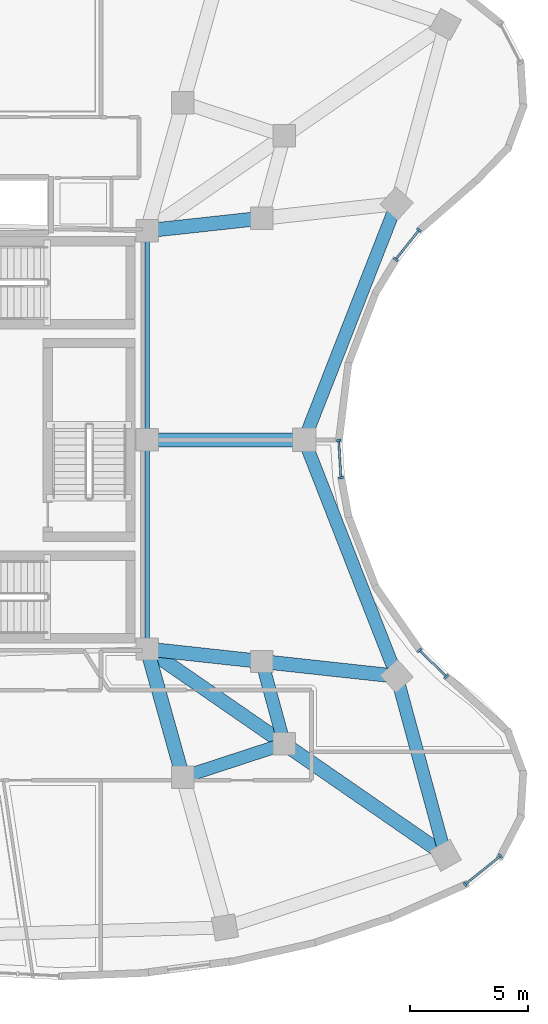
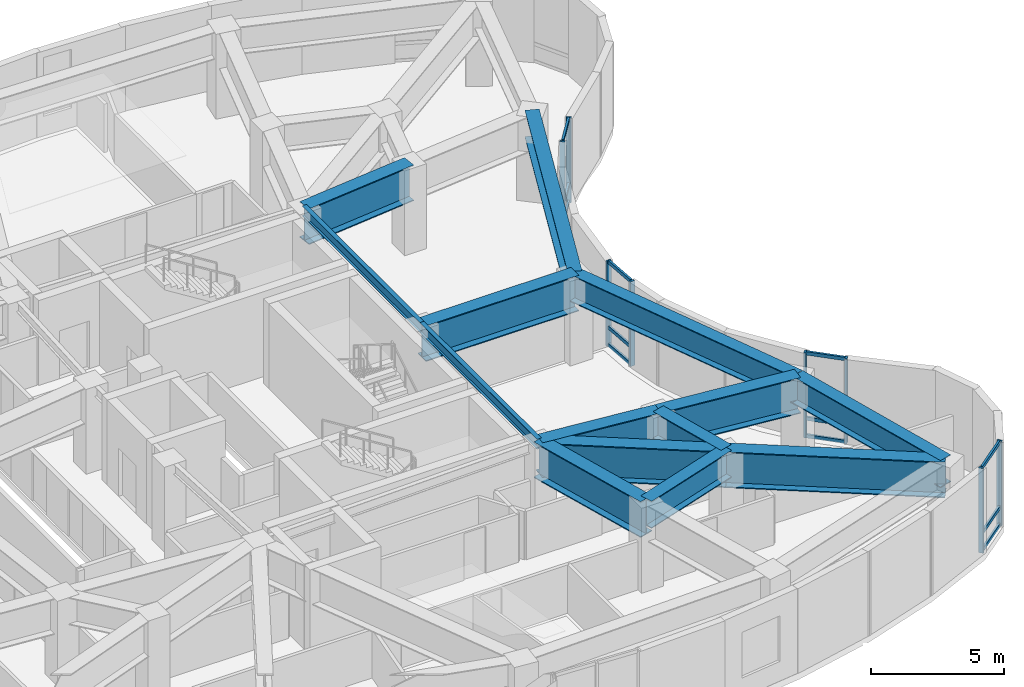
# One storey, part 4 of 14: 20 members, 14 beams, 4 elements without a shape of their own.
"""IFC4 building model written with IfcOpenShell, lengths in metres."""

from ifc_helpers import new_model, si_unit, direction, frame, origin, origin_2d, place, context, subcontext, project, spatial, rectangle, i_section, extrude, material, layer, layer_set, material_profile, profile_set, type_object, element, aggregate, save


model = new_model("IFC4")

# Units and contexts
model_context = context("Model", 3, precision=1e-05, world=origin(), true_north=direction((0.0, 1.0)))
body_context = subcontext(model_context, "Body", "Model", "MODEL_VIEW")
ifc_project = project(units=[si_unit("LENGTHUNIT", "METRE"), si_unit("AREAUNIT", "SQUARE_METRE"), si_unit("VOLUMEUNIT", "CUBIC_METRE"), si_unit("PLANEANGLEUNIT", "RADIAN"), si_unit("MASSUNIT", "GRAM", prefix="KILO")], contexts=[model_context])

# Site, building, storey
site_placement = place(None, origin())
site = spatial("IfcSite", under=ifc_project, at=site_placement, CompositionType="ELEMENT")
building_placement = place(site_placement, origin())
building = spatial("IfcBuilding", under=site, at=building_placement, Name="Korentha Bioscience Tower", CompositionType="ELEMENT")
storey_placement = place(building_placement, frame((0.0, 0.0, 239.39990234375)))
storey = spatial("IfcBuildingStorey", under=building, at=storey_placement, Name="L55", CompositionType="ELEMENT", Elevation=239.39990234375)

# Beams
ifc_material_1 = material(Name="Steel S355", Category="steel")
ifc_material_profile_1 = material_profile(ifc_material_1, i_section(OverallWidth=0.550048828125, OverallDepth=1.25, WebThickness=0.02392578125, FlangeThickness=0.0400390625, at=origin_2d()), Name="Steel S355")
ifc_profile_set_1 = profile_set([ifc_material_profile_1], Name="Steel S355 (TG-03)")
beam_type_1 = type_object("IfcBeamType", Name="Crown Step Transfer Girder CVS 1250x510", PredefinedType="USERDEFINED", material=ifc_profile_set_1)
beam_1_placement = place(storey_placement, frame((39.066650390625, 12.730224609375, 3.275146484375), z_axis=(0.950447398506, 0.310885417274, 0.0), x_axis=(-0.310885417274, 0.950447398506, 0.0)))
element("IfcBeam", 1, at=beam_1_placement, inside=storey, type_object=beam_type_1, Name="L55 Mid-Ring Tie Girder 12", ObjectType="TRANSFER_GIRDER", PredefinedType="USERDEFINED", context=body_context, shape_type="SweptSolid", body=[
    extrude(i_section(OverallWidth=0.550048828125, OverallDepth=1.25, WebThickness=0.02392578125, FlangeThickness=0.0400390625, at=origin_2d()), origin(), (0.0, 0.0, 1.0), 4.5146484375),
])
beam_2_placement = place(storey_placement, frame((43.357666015625, 14.1337890625, 3.275146484375), z_axis=(-0.262122358011, 0.965034646752, 0.0), x_axis=(-0.965034646752, -0.262122358011, 0.0)))
element("IfcBeam", 2, at=beam_2_placement, inside=storey, type_object=beam_type_1, Name="L55 Mid-Ring Tie Girder 13", ObjectType="TRANSFER_GIRDER", PredefinedType="USERDEFINED", context=body_context, shape_type="SweptSolid", body=[
    extrude(i_section(OverallWidth=0.550048828125, OverallDepth=1.25, WebThickness=0.02392578125, FlangeThickness=0.0400390625, at=origin_2d()), origin(), (0.0, 0.0, 1.0), 3.61279296875),
])
beam_3_placement = place(storey_placement, frame((50.175537109375, 9.419189453125, 3.275146484375), z_axis=(-0.26215989838, 0.965024449266, 0.0), x_axis=(-0.965024449266, -0.26215989838, 0.0)))
element("IfcBeam", 3, at=beam_3_placement, inside=storey, type_object=beam_type_1, Name="L55 Perimeter Spandrel Girder 13", ObjectType="TRANSFER_GIRDER", PredefinedType="USERDEFINED", context=body_context, shape_type="SweptSolid", body=[
    extrude(i_section(OverallWidth=0.550048828125, OverallDepth=1.25, WebThickness=0.02392578125, FlangeThickness=0.0400390625, at=origin_2d()), origin(), (0.0, 0.0, 1.0), 7.854248046875),
])
for number, where, z_axis, x_axis, name in (
    (4, (48.116455078125, 16.998779296875, 3.275146484375), (-0.364482486075, 0.931210243363, 0.0), (-0.931210243363, -0.364482486075, 0.0), "L55 Perimeter Spandrel Girder 14"),
    (5, (44.201904296875, 27.0, 3.275146484375), (0.364482486075, 0.931210243363, 0.0), (-0.931210243363, 0.364482486075, 0.0), "L55 Perimeter Spandrel Girder 15"),
):
    element("IfcBeam", number, at=place(storey_placement, frame(where, z_axis=z_axis, x_axis=x_axis)), inside=storey, type_object=beam_type_1, Name=name, ObjectType="TRANSFER_GIRDER", PredefinedType="USERDEFINED", context=body_context, shape_type="SweptSolid", body=[
        extrude(i_section(OverallWidth=0.550048828125, OverallDepth=1.25, WebThickness=0.02392578125, FlangeThickness=0.0400390625, at=origin_2d()), origin(), (0.0, 0.0, 1.0), 10.739990234375),
    ])
ifc_material_profile_2 = material_profile(ifc_material_1, i_section(OverallWidth=0.60009765625, OverallDepth=1.64990234375, WebThickness=0.02587890625, FlangeThickness=0.0439453125, at=origin_2d()), Name="Steel S355")
ifc_profile_set_2 = profile_set([ifc_material_profile_2], Name="Steel S355 (TG-04)")
beam_type_2 = type_object("IfcBeamType", Name="Deep Setback Transfer Girder CVS 1650x620", PredefinedType="USERDEFINED", material=ifc_profile_set_2)
beam_4_placement = place(storey_placement, frame((37.550048828125, 18.14990234375, 3.0751953125), z_axis=(0.269480278508, -0.963005908339, 0.0), x_axis=(0.963005908339, 0.269480278508, 0.0)))
element("IfcBeam", 6, at=beam_4_placement, inside=storey, type_object=beam_type_2, Name="L55 Inner Radial Transfer Girder 12", ObjectType="TRANSFER_GIRDER", PredefinedType="USERDEFINED", context=body_context, shape_type="SweptSolid", body=[
    extrude(i_section(OverallWidth=0.60009765625, OverallDepth=1.64990234375, WebThickness=0.02587890625, FlangeThickness=0.0439453125, at=origin_2d()), origin(), (0.0, 0.0, 1.0), 5.6279296875),
])
beam_5_placement = place(storey_placement, frame((37.550048828125, 18.14990234375, 3.0751953125), z_axis=(0.822493302413, -0.568774795052, 0.0), x_axis=(0.568774795052, 0.822493302413, 0.0)))
element("IfcBeam", 7, at=beam_5_placement, inside=storey, type_object=beam_type_2, Name="L55 Inner Radial Transfer Girder 13", ObjectType="TRANSFER_GIRDER", PredefinedType="USERDEFINED", context=body_context, shape_type="SweptSolid", body=[
    extrude(i_section(OverallWidth=0.60009765625, OverallDepth=1.64990234375, WebThickness=0.02587890625, FlangeThickness=0.0439453125, at=origin_2d()), origin(), (0.0, 0.0, 1.0), 7.06103515625),
])
beam_6_placement = place(storey_placement, frame((43.357666015625, 14.1337890625, 3.0751953125), z_axis=(0.82250061903, -0.568764214499, 0.0), x_axis=(0.568764214499, 0.82250061903, 0.0)))
element("IfcBeam", 8, at=beam_6_placement, inside=storey, type_object=beam_type_2, Name="L55 Outer Radial Transfer Girder 13", ObjectType="TRANSFER_GIRDER", PredefinedType="USERDEFINED", context=body_context, shape_type="SweptSolid", body=[
    extrude(i_section(OverallWidth=0.60009765625, OverallDepth=1.64990234375, WebThickness=0.02587890625, FlangeThickness=0.0439453125, at=origin_2d()), origin(), (0.0, 0.0, 1.0), 8.289306640625),
])
beam_7_placement = place(storey_placement, frame((37.550048828125, 18.14990234375, 3.0751953125), z_axis=(0.994117728659, -0.108304854762, 0.0), x_axis=(0.108304854762, 0.994117728659, 0.0)))
element("IfcBeam", 9, at=beam_7_placement, inside=storey, type_object=beam_type_2, Name="L55 Inner Radial Transfer Girder 14", ObjectType="TRANSFER_GIRDER", PredefinedType="USERDEFINED", context=body_context, shape_type="SweptSolid", body=[
    extrude(i_section(OverallWidth=0.60009765625, OverallDepth=1.64990234375, WebThickness=0.02587890625, FlangeThickness=0.0439453125, at=origin_2d()), origin(), (0.0, 0.0, 1.0), 4.889404296875),
])
beam_8_placement = place(storey_placement, frame((42.41064453125, 17.620361328125, 3.0751953125), z_axis=(0.994118507308, -0.108297707398, 0.0), x_axis=(0.108297707398, 0.994118507308, 0.0)))
element("IfcBeam", 10, at=beam_8_placement, inside=storey, type_object=beam_type_2, Name="L55 Outer Radial Transfer Girder 14", ObjectType="TRANSFER_GIRDER", PredefinedType="USERDEFINED", context=body_context, shape_type="SweptSolid", body=[
    extrude(i_section(OverallWidth=0.60009765625, OverallDepth=1.64990234375, WebThickness=0.02587890625, FlangeThickness=0.0439453125, at=origin_2d()), origin(), (0.0, 0.0, 1.0), 5.739501953125),
])
beam_9_placement = place(storey_placement, frame((37.550048828125, 27.0, 3.0751953125), z_axis=(1.0, 0.0, 0.0), x_axis=(0.0, 1.0, 0.0)))
element("IfcBeam", 11, at=beam_9_placement, inside=storey, type_object=beam_type_2, Name="L55 Radial Transfer Girder 15", ObjectType="TRANSFER_GIRDER", PredefinedType="USERDEFINED", context=body_context, shape_type="SweptSolid", body=[
    extrude(i_section(OverallWidth=0.60009765625, OverallDepth=1.64990234375, WebThickness=0.02587890625, FlangeThickness=0.0439453125, at=origin_2d()), origin(), (0.0, 0.0, 1.0), 6.65185546875),
])
beam_10_placement = place(storey_placement, frame((37.550048828125, 35.85009765625, 3.0751953125), z_axis=(0.994117728659, 0.108304854762, 0.0), x_axis=(-0.108304854762, 0.994117728659, 0.0)))
element("IfcBeam", 12, at=beam_10_placement, inside=storey, type_object=beam_type_2, Name="L55 Inner Radial Transfer Girder 16", ObjectType="TRANSFER_GIRDER", PredefinedType="USERDEFINED", context=body_context, shape_type="SweptSolid", body=[
    extrude(i_section(OverallWidth=0.60009765625, OverallDepth=1.64990234375, WebThickness=0.02587890625, FlangeThickness=0.0439453125, at=origin_2d()), origin(), (0.0, 0.0, 1.0), 4.889404296875),
])
ifc_material_profile_3 = material_profile(ifc_material_1, i_section(OverallWidth=0.18994140625, OverallDepth=0.45703125, WebThickness=0.009033203125, FlangeThickness=0.014404296875, at=origin_2d()), Name="Steel S355")
ifc_profile_set_3 = profile_set([ifc_material_profile_3], Name="Steel S355 (MB-460)")
beam_type_3 = type_object("IfcBeamType", Name="Mid-Ring Tie Girder W460x74", PredefinedType="BEAM", material=ifc_profile_set_3)
for number, where, z_axis, x_axis, name in (
    (13, (37.550048828125, 18.14990234375, 3.671630859375), (0.0, 1.0, 0.0), (-1.0, 0.0, 0.0), "L55 Core Ring Tie Girder 06"),
    (14, (37.550048828125, 27.0, 3.671630859375), (0.0, 1.0, 0.0), (-1.0, 0.0, 0.0), "L55 Core Ring Tie Girder 07"),
):
    element("IfcBeam", number, at=place(storey_placement, frame(where, z_axis=z_axis, x_axis=x_axis)), inside=storey, type_object=beam_type_3, Name=name, PredefinedType="BEAM", context=body_context, shape_type="SweptSolid", body=[
        extrude(i_section(OverallWidth=0.18994140625, OverallDepth=0.45703125, WebThickness=0.009033203125, FlangeThickness=0.014404296875, at=origin_2d()), origin(), (0.0, 0.0, 1.0), 8.85009765625),
    ])

# Curtain wall, members
ifc_material_2 = material(Name="Thermally Broken Aluminium Frame", Category="aluminium")
ifc_layer = layer(ifc_material_2, 0.219970703125, Name="Thermally Broken Aluminium Frame")
ifc_layer_set = layer_set([ifc_layer], Name="Thermally Broken Aluminium Frame (CW-T1)")
curtain_wall_type = type_object("IfcCurtainWallType", Name="Standard Bioscience Lab Unitised Curtain Wall CW-T1", PredefinedType="USERDEFINED", material=ifc_layer_set)
curtain_wall_1_placement = place(storey_placement, origin())
curtain_wall_1 = element("IfcCurtainWall", 15, at=curtain_wall_1_placement, inside=storey, type_object=curtain_wall_type, Name="L55 Curtain Wall 37", ObjectType="UNITISED", PredefinedType="USERDEFINED")
ifc_material_3 = material(Name="Anodised Aluminium 6063-T6", Category="aluminium")
ifc_material_profile_4 = material_profile(ifc_material_3, rectangle(XDim=0.090087890625, YDim=0.199951171875, at=origin_2d()), Name="Anodised Aluminium 6063-T6")
ifc_profile_set_4 = profile_set([ifc_material_profile_4], Name="Anodised Aluminium 6063-T6 (CW-MUL)")
member_type_1 = type_object("IfcMemberType", Name="Mullion RECT 90x200", PredefinedType="MULLION", material=ifc_profile_set_4)
member_1_placement = place(storey_placement, frame((51.01171875, 8.188720703125, 0.0), z_axis=(0.0, 0.0, 1.0), x_axis=(0.779197616162, 0.626778330008, 0.0)))
member_1 = element("IfcMember", 16, at=member_1_placement, type_object=member_type_1, Name="CW-L55-37 Mullion 1", PredefinedType="MULLION", context=body_context, shape_type="SweptSolid", body=[
    extrude(rectangle(XDim=0.090087890625, YDim=0.199951171875, at=origin_2d()), origin(), (0.0, 0.0, 1.0), 3.900146484375),
])
member_2_placement = place(storey_placement, frame((52.5087890625, 9.39306640625, 0.0), z_axis=(0.0, 0.0, 1.0), x_axis=(0.779197616162, 0.626778330008, 0.0)))
member_2 = element("IfcMember", 17, at=member_2_placement, type_object=member_type_1, Name="CW-L55-37 Mullion 2", PredefinedType="MULLION", context=body_context, shape_type="SweptSolid", body=[
    extrude(rectangle(XDim=0.090087890625, YDim=0.199951171875, at=origin_2d()), origin(), (0.0, 0.0, 1.0), 3.900146484375),
])

curtain_wall_2_placement = place(storey_placement, origin())
curtain_wall_2 = element("IfcCurtainWall", 18, at=curtain_wall_2_placement, inside=storey, type_object=curtain_wall_type, Name="L55 Curtain Wall 43", ObjectType="UNITISED", PredefinedType="USERDEFINED")
member_3_placement = place(storey_placement, frame((50.2197265625, 16.978759765625, 0.0), z_axis=(0.0, 0.0, 1.0), x_axis=(-0.713258270268, 0.700901305388, 0.0)))
member_3 = element("IfcMember", 19, at=member_3_placement, type_object=member_type_1, Name="CW-L55-43 Mullion 1", PredefinedType="MULLION", context=body_context, shape_type="SweptSolid", body=[
    extrude(rectangle(XDim=0.090087890625, YDim=0.199951171875, at=origin_2d()), origin(), (0.0, 0.0, 1.0), 3.900146484375),
])
member_4_placement = place(storey_placement, frame((49.08349609375, 18.095703125, 0.0), z_axis=(0.0, 0.0, 1.0), x_axis=(-0.713258270268, 0.700901305388, 0.0)))
member_4 = element("IfcMember", 20, at=member_4_placement, type_object=member_type_1, Name="CW-L55-43 Mullion 2", PredefinedType="MULLION", context=body_context, shape_type="SweptSolid", body=[
    extrude(rectangle(XDim=0.090087890625, YDim=0.199951171875, at=origin_2d()), origin(), (0.0, 0.0, 1.0), 3.900146484375),
])

curtain_wall_3_placement = place(storey_placement, origin())
curtain_wall_3 = element("IfcCurtainWall", 21, at=curtain_wall_3_placement, inside=storey, type_object=curtain_wall_type, Name="L55 Curtain Wall 49", ObjectType="UNITISED", PredefinedType="USERDEFINED")
member_5_placement = place(storey_placement, frame((45.7568359375, 25.39501953125, 0.0), z_axis=(0.0, 0.0, 1.0), x_axis=(-0.06095424178, 0.998140561449, 0.0)))
member_5 = element("IfcMember", 22, at=member_5_placement, type_object=member_type_1, Name="CW-L55-49 Mullion 1", PredefinedType="MULLION", context=body_context, shape_type="SweptSolid", body=[
    extrude(rectangle(XDim=0.090087890625, YDim=0.199951171875, at=origin_2d()), origin(), (0.0, 0.0, 1.0), 3.900146484375),
])
member_6_placement = place(storey_placement, frame((45.65966796875, 26.985107421875, 0.0), z_axis=(0.0, 0.0, 1.0), x_axis=(-0.06095424178, 0.998140561449, 0.0)))
member_6 = element("IfcMember", 23, at=member_6_placement, type_object=member_type_1, Name="CW-L55-49 Mullion 2", PredefinedType="MULLION", context=body_context, shape_type="SweptSolid", body=[
    extrude(rectangle(XDim=0.090087890625, YDim=0.199951171875, at=origin_2d()), origin(), (0.0, 0.0, 1.0), 3.900146484375),
])

curtain_wall_4_placement = place(storey_placement, origin())
curtain_wall_4 = element("IfcCurtainWall", 24, at=curtain_wall_4_placement, inside=storey, type_object=curtain_wall_type, Name="L55 Curtain Wall 55", ObjectType="UNITISED", PredefinedType="USERDEFINED")
member_7_placement = place(storey_placement, frame((48.07177734375, 34.635498046875, 0.0), z_axis=(0.0, 0.0, 1.0), x_axis=(0.622511989066, 0.782610262819, 0.0)))
member_7 = element("IfcMember", 25, at=member_7_placement, type_object=member_type_1, Name="CW-L55-55 Mullion 1", PredefinedType="MULLION", context=body_context, shape_type="SweptSolid", body=[
    extrude(rectangle(XDim=0.090087890625, YDim=0.199951171875, at=origin_2d()), origin(), (0.0, 0.0, 1.0), 3.900146484375),
])
member_8_placement = place(storey_placement, frame((49.063720703125, 35.882568359375, 0.0), z_axis=(0.0, 0.0, 1.0), x_axis=(0.622511989066, 0.782610262819, 0.0)))
member_8 = element("IfcMember", 26, at=member_8_placement, type_object=member_type_1, Name="CW-L55-55 Mullion 2", PredefinedType="MULLION", context=body_context, shape_type="SweptSolid", body=[
    extrude(rectangle(XDim=0.090087890625, YDim=0.199951171875, at=origin_2d()), origin(), (0.0, 0.0, 1.0), 3.900146484375),
])

# Member
ifc_material_profile_5 = material_profile(ifc_material_3, rectangle(XDim=0.090087890625, YDim=0.159912109375, at=origin_2d()), Name="Anodised Aluminium 6063-T6")
ifc_profile_set_5 = profile_set([ifc_material_profile_5], Name="Anodised Aluminium 6063-T6 (CW-TRN)")
member_type_2 = type_object("IfcMemberType", Name="Transom RECT 90x160", PredefinedType="USERDEFINED", material=ifc_profile_set_5)
member_9_placement = place(storey_placement, frame((51.046630859375, 8.216796875, 0.045166015625), z_axis=(0.779227601678, 0.62674105082, 0.0), x_axis=(-0.62674105082, 0.779227601678, 0.0)))
member_9 = element("IfcMember", 27, at=member_9_placement, type_object=member_type_2, Name="CW-L55-37 Bay 1 Transom 1", ObjectType="TRANSOM", PredefinedType="USERDEFINED", context=body_context, shape_type="SweptSolid", body=[
    extrude(rectangle(XDim=0.090087890625, YDim=0.159912109375, at=origin_2d()), origin(), (0.0, 0.0, 1.0), 1.83154296875),
])

member_10_placement = place(storey_placement, frame((51.046630859375, 8.216796875, 0.85009765625), z_axis=(0.779227601678, 0.62674105082, 0.0), x_axis=(-0.62674105082, 0.779227601678, 0.0)))
member_10 = element("IfcMember", 28, at=member_10_placement, type_object=member_type_2, Name="CW-L55-37 Bay 1 Transom 2", ObjectType="TRANSOM", PredefinedType="USERDEFINED", context=body_context, shape_type="SweptSolid", body=[
    extrude(rectangle(XDim=0.090087890625, YDim=0.159912109375, at=origin_2d()), origin(), (0.0, 0.0, 1.0), 1.83154296875),
])

member_11_placement = place(storey_placement, frame((51.046630859375, 8.216796875, 3.85498046875), z_axis=(0.779227601678, 0.62674105082, 0.0), x_axis=(-0.62674105082, 0.779227601678, 0.0)))
member_11 = element("IfcMember", 29, at=member_11_placement, type_object=member_type_2, Name="CW-L55-37 Bay 1 Transom 3", ObjectType="TRANSOM", PredefinedType="USERDEFINED", context=body_context, shape_type="SweptSolid", body=[
    extrude(rectangle(XDim=0.090087890625, YDim=0.159912109375, at=origin_2d()), origin(), (0.0, 0.0, 1.0), 1.83154296875),
])

aggregate(curtain_wall_1, [member_1, member_2, member_9, member_10, member_11])

member_12_placement = place(storey_placement, frame((50.187744140625, 17.010498046875, 0.045166015625), z_axis=(-0.713332158059, 0.700826107018, 0.0), x_axis=(-0.700826107018, -0.713332158059, 0.0)))
member_12 = element("IfcMember", 30, at=member_12_placement, type_object=member_type_2, Name="CW-L55-43 Bay 1 Transom 1", ObjectType="TRANSOM", PredefinedType="USERDEFINED", context=body_context, shape_type="SweptSolid", body=[
    extrude(rectangle(XDim=0.090087890625, YDim=0.159912109375, at=origin_2d()), origin(), (0.0, 0.0, 1.0), 1.503173828125),
])

member_13_placement = place(storey_placement, frame((50.187744140625, 17.010498046875, 0.85009765625), z_axis=(-0.713332158059, 0.700826107018, 0.0), x_axis=(-0.700826107018, -0.713332158059, 0.0)))
member_13 = element("IfcMember", 31, at=member_13_placement, type_object=member_type_2, Name="CW-L55-43 Bay 1 Transom 2", ObjectType="TRANSOM", PredefinedType="USERDEFINED", context=body_context, shape_type="SweptSolid", body=[
    extrude(rectangle(XDim=0.090087890625, YDim=0.159912109375, at=origin_2d()), origin(), (0.0, 0.0, 1.0), 1.503173828125),
])

member_14_placement = place(storey_placement, frame((50.187744140625, 17.010498046875, 3.85498046875), z_axis=(-0.713332158059, 0.700826107018, 0.0), x_axis=(-0.700826107018, -0.713332158059, 0.0)))
member_14 = element("IfcMember", 32, at=member_14_placement, type_object=member_type_2, Name="CW-L55-43 Bay 1 Transom 3", ObjectType="TRANSOM", PredefinedType="USERDEFINED", context=body_context, shape_type="SweptSolid", body=[
    extrude(rectangle(XDim=0.090087890625, YDim=0.159912109375, at=origin_2d()), origin(), (0.0, 0.0, 1.0), 1.503173828125),
])

aggregate(curtain_wall_2, [member_3, member_4, member_12, member_13, member_14])

member_15_placement = place(storey_placement, frame((45.75390625, 25.439697265625, 0.045166015625), z_axis=(-0.060902034753, 0.998143748246, 0.0), x_axis=(-0.998143748246, -0.060902034753, 0.0)))
member_15 = element("IfcMember", 33, at=member_15_placement, type_object=member_type_2, Name="CW-L55-49 Bay 1 Transom 1", ObjectType="TRANSOM", PredefinedType="USERDEFINED", context=body_context, shape_type="SweptSolid", body=[
    extrude(rectangle(XDim=0.090087890625, YDim=0.159912109375, at=origin_2d()), origin(), (0.0, 0.0, 1.0), 1.503173828125),
])

member_16_placement = place(storey_placement, frame((45.75390625, 25.439697265625, 0.85009765625), z_axis=(-0.060902034753, 0.998143748246, 0.0), x_axis=(-0.998143748246, -0.060902034753, 0.0)))
member_16 = element("IfcMember", 34, at=member_16_placement, type_object=member_type_2, Name="CW-L55-49 Bay 1 Transom 2", ObjectType="TRANSOM", PredefinedType="USERDEFINED", context=body_context, shape_type="SweptSolid", body=[
    extrude(rectangle(XDim=0.090087890625, YDim=0.159912109375, at=origin_2d()), origin(), (0.0, 0.0, 1.0), 1.503173828125),
])

member_17_placement = place(storey_placement, frame((45.75390625, 25.439697265625, 3.85498046875), z_axis=(-0.060902034753, 0.998143748246, 0.0), x_axis=(-0.998143748246, -0.060902034753, 0.0)))
member_17 = element("IfcMember", 35, at=member_17_placement, type_object=member_type_2, Name="CW-L55-49 Bay 1 Transom 3", ObjectType="TRANSOM", PredefinedType="USERDEFINED", context=body_context, shape_type="SweptSolid", body=[
    extrude(rectangle(XDim=0.090087890625, YDim=0.159912109375, at=origin_2d()), origin(), (0.0, 0.0, 1.0), 1.503173828125),
])

aggregate(curtain_wall_3, [member_5, member_6, member_15, member_16, member_17])

member_18_placement = place(storey_placement, frame((48.099609375, 34.670654296875, 0.045166015625), z_axis=(0.622514525424, 0.782608245316, 0.0), x_axis=(-0.782608245316, 0.622514525424, 0.0)))
member_18 = element("IfcMember", 36, at=member_18_placement, type_object=member_type_2, Name="CW-L55-55 Bay 1 Transom 1", ObjectType="TRANSOM", PredefinedType="USERDEFINED", context=body_context, shape_type="SweptSolid", body=[
    extrude(rectangle(XDim=0.090087890625, YDim=0.159912109375, at=origin_2d()), origin(), (0.0, 0.0, 1.0), 1.503662109375),
])

member_19_placement = place(storey_placement, frame((48.099609375, 34.670654296875, 0.85009765625), z_axis=(0.622514525424, 0.782608245316, 0.0), x_axis=(-0.782608245316, 0.622514525424, 0.0)))
member_19 = element("IfcMember", 37, at=member_19_placement, type_object=member_type_2, Name="CW-L55-55 Bay 1 Transom 2", ObjectType="TRANSOM", PredefinedType="USERDEFINED", context=body_context, shape_type="SweptSolid", body=[
    extrude(rectangle(XDim=0.090087890625, YDim=0.159912109375, at=origin_2d()), origin(), (0.0, 0.0, 1.0), 1.503662109375),
])

member_20_placement = place(storey_placement, frame((48.099609375, 34.670654296875, 3.85498046875), z_axis=(0.622514525424, 0.782608245316, 0.0), x_axis=(-0.782608245316, 0.622514525424, 0.0)))
member_20 = element("IfcMember", 38, at=member_20_placement, type_object=member_type_2, Name="CW-L55-55 Bay 1 Transom 3", ObjectType="TRANSOM", PredefinedType="USERDEFINED", context=body_context, shape_type="SweptSolid", body=[
    extrude(rectangle(XDim=0.090087890625, YDim=0.159912109375, at=origin_2d()), origin(), (0.0, 0.0, 1.0), 1.503662109375),
])

aggregate(curtain_wall_4, [member_7, member_8, member_18, member_19, member_20])

save(model, "model.ifc")
